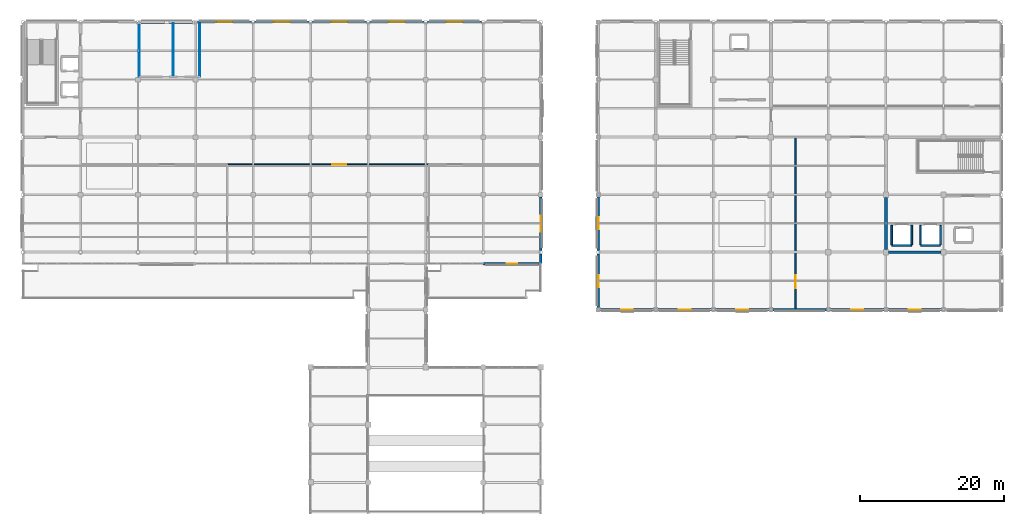
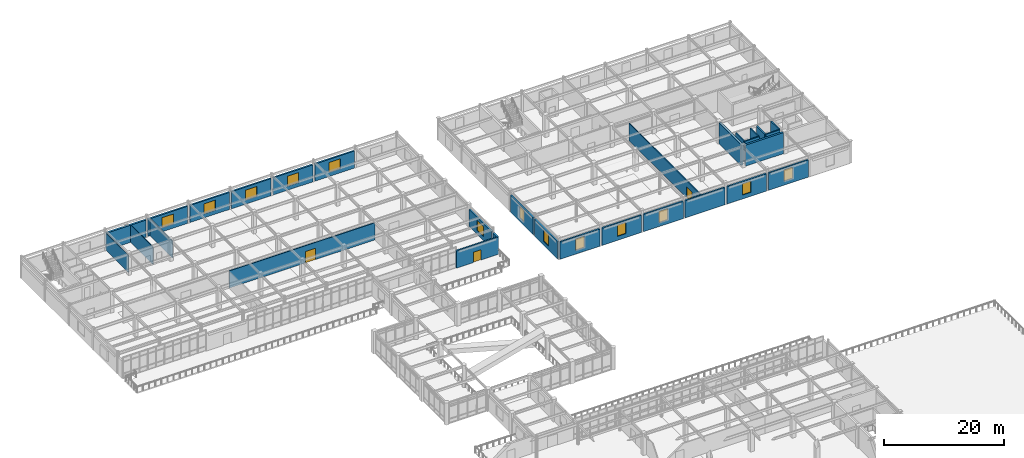
# One storey, part 62 of 93: 30 walls, 13 windows, 3 doors, 16 openings.
"""IFC4 building model written with IfcOpenShell, lengths in metres."""

from ifc_helpers import new_model, si_unit, direction, frame, frame_2d, origin, place, context, subcontext, project, spatial, rectangle, extrude, material, layer, layer_set, type_object, element, fill, save


model = new_model("IFC4")

# Units and contexts
model_context = context("Model", 3, precision=1e-05, world=origin(), true_north=direction((0.0, 1.0)))
body_context = subcontext(model_context, "Body", "Model", "MODEL_VIEW")
ifc_project = project(units=[si_unit("LENGTHUNIT", "METRE"), si_unit("AREAUNIT", "SQUARE_METRE"), si_unit("VOLUMEUNIT", "CUBIC_METRE"), si_unit("PLANEANGLEUNIT", "RADIAN"), si_unit("MASSUNIT", "GRAM", prefix="KILO")], contexts=[model_context])

# Site, building, storey
site_placement = place(None, origin())
site = spatial("IfcSite", under=ifc_project, at=site_placement, CompositionType="ELEMENT")
building_placement = place(site_placement, origin())
building = spatial("IfcBuilding", under=site, at=building_placement, Name="Solmirada Galleria", CompositionType="ELEMENT")
storey_placement = place(building_placement, frame((0.0, 0.0, 14.89990234375)))
storey = spatial("IfcBuildingStorey", under=building, at=storey_placement, Name="L03", CompositionType="ELEMENT", Elevation=14.89990234375)

# Walls
ifc_material_1 = material(Name="Concrete C40/50", Category="concrete")
ifc_layer_1 = layer(ifc_material_1, 0.3798828125)
ifc_layer_set_1 = layer_set([ifc_layer_1], Name="Concrete C40/50")
wall_type_1 = type_object("IfcWallType", Name="WL-CORE-380", PredefinedType="SHEAR", material=ifc_layer_set_1)
for number, where, z_axis, x_axis, name in (
    (1, (160.375, 88.0, 0.0), (0.0, 0.0, 1.0), (1.0, 0.0, 0.0), "Core C4 shear wall L03 S1"),
    (2, (160.0, 88.375, 0.0), (0.0, 0.0, 1.0), (0.0, 1.0, 0.0), "Core C4 shear wall L03 W1"),
):
    element("IfcWall", number, at=place(storey_placement, frame(where, z_axis=z_axis, x_axis=x_axis)), inside=storey, type_object=wall_type_1, Name=name, PredefinedType="SHEAR", context=body_context, shape_type="SweptSolid", body=[
        extrude(rectangle(XDim=7.25, YDim=0.3798828125, at=frame_2d((3.625, 0.0))), origin(), (0.0, 0.0, 1.0), 4.280029296875),
    ])

# Wall, opening, window
ifc_material_2 = material(Name="Precast concrete C40/50", Category="concrete")
ifc_layer_2 = layer(ifc_material_2, 0.31005859375)
ifc_layer_set_2 = layer_set([ifc_layer_2], Name="Precast concrete C40/50")
wall_type_2 = type_object("IfcWallType", Name="WL-EXT-310", PredefinedType="STANDARD", material=ifc_layer_set_2)
wall_1_placement = place(storey_placement, frame((64.202880859375, 120.0, 0.0), z_axis=(0.0, 0.0, 1.0), x_axis=(1.0, 0.0, 0.0)))
wall_1 = element("IfcWall", 3, at=wall_1_placement, inside=storey, type_object=wall_type_2, Name="Exterior wall L03 bay 024", PredefinedType="STANDARD", context=body_context, shape_type="SweptSolid", body=[
    extrude(rectangle(XDim=7.59423828125, YDim=0.31005859375, at=frame_2d((3.797119140625, 0.0))), origin(), (0.0, 0.0, 1.0), 3.47998046875),
])
opening_1_placement = place(wall_1_placement, frame((2.697021484375, 0.0, 0.800048828125)))
opening_1 = element("IfcOpeningElement", 4, at=opening_1_placement, cuts=wall_1, Name="Opening WN3", PredefinedType="OPENING", context=body_context, shape_type="SweptSolid", body=[
    extrude(rectangle(XDim=2.199951171875, YDim=2.050048828125, at=frame_2d((1.10009765625, 1.02490234375))), frame((0.0, 0.1650390625, 0.0), z_axis=(0.0, -1.0, 0.0), x_axis=(1.0, 0.0, 0.0)), (0.0, 0.0, 1.0), 0.330078125),
])
ifc_material_3 = material(Name="Impact-resistant low-E double glazing", Category="glass")
window_type_1 = type_object("IfcWindowType", Name="WIN-AVE-220X205", PartitioningType="DOUBLE_PANEL_VERTICAL", PredefinedType="WINDOW", material=ifc_material_3)
window_1_placement = place(opening_1_placement, origin())
window_1 = element("IfcWindow", 5, at=window_1_placement, inside=storey, type_object=window_type_1, Name="Window L03-075", OverallHeight=2.050048828125, OverallWidth=2.199951171875, PartitioningType="DOUBLE_PANEL_VERTICAL", PredefinedType="WINDOW", context=body_context, shape_type="SweptSolid", body=[
    extrude(rectangle(XDim=2.199951171875, YDim=2.050048828125, at=frame_2d((1.10009765625, 1.02490234375))), frame((0.0, 0.030029296875, 0.0), z_axis=(0.0, -1.0, 0.0), x_axis=(1.0, 0.0, 0.0)), (0.0, 0.0, 1.0), 0.06005859375),
])
fill(opening_1, window_1)

wall_2_placement = place(storey_placement, frame((72.202880859375, 120.0, 0.0), z_axis=(0.0, 0.0, 1.0), x_axis=(1.0, 0.0, 0.0)))
wall_2 = element("IfcWall", 6, at=wall_2_placement, inside=storey, type_object=wall_type_2, Name="Exterior wall L03 bay 025", PredefinedType="STANDARD", context=body_context, shape_type="SweptSolid", body=[
    extrude(rectangle(XDim=7.59423828125, YDim=0.31005859375, at=frame_2d((3.797119140625, 0.0))), origin(), (0.0, 0.0, 1.0), 3.47998046875),
])
opening_2_placement = place(wall_2_placement, frame((2.697021484375, 0.0, 0.800048828125)))
opening_2 = element("IfcOpeningElement", 7, at=opening_2_placement, cuts=wall_2, Name="Opening WN3", PredefinedType="OPENING", context=body_context, shape_type="SweptSolid", body=[
    extrude(rectangle(XDim=2.199951171875, YDim=2.050048828125, at=frame_2d((1.10009765625, 1.02490234375))), frame((0.0, 0.1650390625, 0.0), z_axis=(0.0, -1.0, 0.0), x_axis=(1.0, 0.0, 0.0)), (0.0, 0.0, 1.0), 0.330078125),
])
window_2_placement = place(opening_2_placement, origin())
window_2 = element("IfcWindow", 8, at=window_2_placement, inside=storey, type_object=window_type_1, Name="Window L03-076", OverallHeight=2.050048828125, OverallWidth=2.199951171875, PartitioningType="DOUBLE_PANEL_VERTICAL", PredefinedType="WINDOW", context=body_context, shape_type="SweptSolid", body=[
    extrude(rectangle(XDim=2.199951171875, YDim=2.050048828125, at=frame_2d((1.10009765625, 1.02490234375))), frame((0.0, 0.030029296875, 0.0), z_axis=(0.0, -1.0, 0.0), x_axis=(1.0, 0.0, 0.0)), (0.0, 0.0, 1.0), 0.06005859375),
])
fill(opening_2, window_2)

wall_3_placement = place(storey_placement, frame((80.202880859375, 120.0, 0.0), z_axis=(0.0, 0.0, 1.0), x_axis=(1.0, 0.0, 0.0)))
wall_3 = element("IfcWall", 9, at=wall_3_placement, inside=storey, type_object=wall_type_2, Name="Exterior wall L03 bay 026", PredefinedType="STANDARD", context=body_context, shape_type="SweptSolid", body=[
    extrude(rectangle(XDim=7.59423828125, YDim=0.31005859375, at=frame_2d((3.797119140625, 0.0))), origin(), (0.0, 0.0, 1.0), 3.47998046875),
])
opening_3_placement = place(wall_3_placement, frame((2.697021484375, 0.0, 0.800048828125)))
opening_3 = element("IfcOpeningElement", 10, at=opening_3_placement, cuts=wall_3, Name="Opening WN3", PredefinedType="OPENING", context=body_context, shape_type="SweptSolid", body=[
    extrude(rectangle(XDim=2.199951171875, YDim=2.050048828125, at=frame_2d((1.10009765625, 1.02490234375))), frame((0.0, 0.1650390625, 0.0), z_axis=(0.0, -1.0, 0.0), x_axis=(1.0, 0.0, 0.0)), (0.0, 0.0, 1.0), 0.330078125),
])
window_3_placement = place(opening_3_placement, origin())
window_3 = element("IfcWindow", 11, at=window_3_placement, inside=storey, type_object=window_type_1, Name="Window L03-077", OverallHeight=2.050048828125, OverallWidth=2.199951171875, PartitioningType="DOUBLE_PANEL_VERTICAL", PredefinedType="WINDOW", context=body_context, shape_type="SweptSolid", body=[
    extrude(rectangle(XDim=2.199951171875, YDim=2.050048828125, at=frame_2d((1.10009765625, 1.02490234375))), frame((0.0, 0.030029296875, 0.0), z_axis=(0.0, -1.0, 0.0), x_axis=(1.0, 0.0, 0.0)), (0.0, 0.0, 1.0), 0.06005859375),
])
fill(opening_3, window_3)

wall_4_placement = place(storey_placement, frame((88.202880859375, 120.0, 0.0), z_axis=(0.0, 0.0, 1.0), x_axis=(1.0, 0.0, 0.0)))
wall_4 = element("IfcWall", 12, at=wall_4_placement, inside=storey, type_object=wall_type_2, Name="Exterior wall L03 bay 027", PredefinedType="STANDARD", context=body_context, shape_type="SweptSolid", body=[
    extrude(rectangle(XDim=7.59423828125, YDim=0.31005859375, at=frame_2d((3.797119140625, 0.0))), origin(), (0.0, 0.0, 1.0), 3.47998046875),
])
opening_4_placement = place(wall_4_placement, frame((2.697021484375, 0.0, 0.800048828125)))
opening_4 = element("IfcOpeningElement", 13, at=opening_4_placement, cuts=wall_4, Name="Opening WN3", PredefinedType="OPENING", context=body_context, shape_type="SweptSolid", body=[
    extrude(rectangle(XDim=2.199951171875, YDim=2.050048828125, at=frame_2d((1.10009765625, 1.02490234375))), frame((0.0, 0.1650390625, 0.0), z_axis=(0.0, -1.0, 0.0), x_axis=(1.0, 0.0, 0.0)), (0.0, 0.0, 1.0), 0.330078125),
])
window_4_placement = place(opening_4_placement, origin())
window_4 = element("IfcWindow", 14, at=window_4_placement, inside=storey, type_object=window_type_1, Name="Window L03-078", OverallHeight=2.050048828125, OverallWidth=2.199951171875, PartitioningType="DOUBLE_PANEL_VERTICAL", PredefinedType="WINDOW", context=body_context, shape_type="SweptSolid", body=[
    extrude(rectangle(XDim=2.199951171875, YDim=2.050048828125, at=frame_2d((1.10009765625, 1.02490234375))), frame((0.0, 0.030029296875, 0.0), z_axis=(0.0, -1.0, 0.0), x_axis=(1.0, 0.0, 0.0)), (0.0, 0.0, 1.0), 0.06005859375),
])
fill(opening_4, window_4)

wall_5_placement = place(storey_placement, frame((96.202880859375, 120.0, 0.0), z_axis=(0.0, 0.0, 1.0), x_axis=(1.0, 0.0, 0.0)))
wall_5 = element("IfcWall", 15, at=wall_5_placement, inside=storey, type_object=wall_type_2, Name="Exterior wall L03 bay 028", PredefinedType="STANDARD", context=body_context, shape_type="SweptSolid", body=[
    extrude(rectangle(XDim=7.59423828125, YDim=0.31005859375, at=frame_2d((3.797119140625, 0.0))), origin(), (0.0, 0.0, 1.0), 3.47998046875),
])
opening_5_placement = place(wall_5_placement, frame((2.697021484375, 0.0, 0.800048828125)))
opening_5 = element("IfcOpeningElement", 16, at=opening_5_placement, cuts=wall_5, Name="Opening WN3", PredefinedType="OPENING", context=body_context, shape_type="SweptSolid", body=[
    extrude(rectangle(XDim=2.199951171875, YDim=2.050048828125, at=frame_2d((1.10009765625, 1.02490234375))), frame((0.0, 0.1650390625, 0.0), z_axis=(0.0, -1.0, 0.0), x_axis=(1.0, 0.0, 0.0)), (0.0, 0.0, 1.0), 0.330078125),
])
window_5_placement = place(opening_5_placement, origin())
window_5 = element("IfcWindow", 17, at=window_5_placement, inside=storey, type_object=window_type_1, Name="Window L03-079", OverallHeight=2.050048828125, OverallWidth=2.199951171875, PartitioningType="DOUBLE_PANEL_VERTICAL", PredefinedType="WINDOW", context=body_context, shape_type="SweptSolid", body=[
    extrude(rectangle(XDim=2.199951171875, YDim=2.050048828125, at=frame_2d((1.10009765625, 1.02490234375))), frame((0.0, 0.030029296875, 0.0), z_axis=(0.0, -1.0, 0.0), x_axis=(1.0, 0.0, 0.0)), (0.0, 0.0, 1.0), 0.06005859375),
])
fill(opening_5, window_5)

wall_6_placement = place(storey_placement, frame((112.0, 95.675048828125, 0.0), z_axis=(0.0, 0.0, 1.0), x_axis=(0.0, -1.0, 0.0)))
wall_6 = element("IfcWall", 18, at=wall_6_placement, inside=storey, type_object=wall_type_2, Name="Exterior wall L03 bay 033", PredefinedType="STANDARD", context=body_context, shape_type="SweptSolid", body=[
    extrude(rectangle(XDim=7.446533203125, YDim=0.31005859375, at=frame_2d((3.72314453125, 0.0))), origin(), (0.0, 0.0, 1.0), 3.47998046875),
])
opening_6_placement = place(wall_6_placement, frame((2.623046875, 0.0, 0.800048828125)))
opening_6 = element("IfcOpeningElement", 19, at=opening_6_placement, cuts=wall_6, Name="Opening WN3", PredefinedType="OPENING", context=body_context, shape_type="SweptSolid", body=[
    extrude(rectangle(XDim=2.199951171875, YDim=2.050048828125, at=frame_2d((1.10009765625, 1.02490234375))), frame((0.0, 0.1650390625, 0.0), z_axis=(0.0, -1.0, 0.0), x_axis=(1.0, 0.0, 0.0)), (0.0, 0.0, 1.0), 0.330078125),
])
window_6_placement = place(opening_6_placement, origin())
window_6 = element("IfcWindow", 20, at=window_6_placement, inside=storey, type_object=window_type_1, Name="Window L03-083", OverallHeight=2.050048828125, OverallWidth=2.199951171875, PartitioningType="DOUBLE_PANEL_VERTICAL", PredefinedType="WINDOW", context=body_context, shape_type="SweptSolid", body=[
    extrude(rectangle(XDim=2.199951171875, YDim=2.050048828125, at=frame_2d((1.10009765625, 1.02490234375))), frame((0.0, 0.030029296875, 0.0), z_axis=(0.0, -1.0, 0.0), x_axis=(1.0, 0.0, 0.0)), (0.0, 0.0, 1.0), 0.06005859375),
])
fill(opening_6, window_6)

# Wall
wall_7_placement = place(storey_placement, frame((112.0, 87.771484375, 0.0), z_axis=(0.0, 0.0, 1.0), x_axis=(0.0, -1.0, 0.0)))
element("IfcWall", 21, at=wall_7_placement, inside=storey, type_object=wall_type_2, Name="Exterior wall L03 bay 034", PredefinedType="STANDARD", context=body_context, shape_type="SweptSolid", body=[
    extrude(rectangle(XDim=1.37158203125, YDim=0.31005859375, at=frame_2d((0.685791015625, 0.0))), origin(), (0.0, 0.0, 1.0), 3.47998046875),
])

# Wall, opening, door
wall_8_placement = place(storey_placement, frame((112.0, 86.39990234375, 0.0), z_axis=(0.0, 0.0, 1.0), x_axis=(-1.0, 0.0, 0.0)))
wall_8 = element("IfcWall", 22, at=wall_8_placement, inside=storey, type_object=wall_type_2, Name="Exterior wall L03 bay 035", PredefinedType="STANDARD", context=body_context, shape_type="SweptSolid", body=[
    extrude(rectangle(XDim=8.0, YDim=0.31005859375, at=frame_2d((4.0, 0.0))), origin(), (0.0, 0.0, 1.0), 3.47998046875),
])
opening_7_placement = place(wall_8_placement, frame((3.27490234375, 0.0, 0.0)))
opening_7 = element("IfcOpeningElement", 23, at=opening_7_placement, cuts=wall_8, Name="Opening TD-066", PredefinedType="OPENING", context=body_context, shape_type="SweptSolid", body=[
    extrude(rectangle(XDim=1.449951171875, YDim=2.10009765625, at=frame_2d((0.72509765625, 1.050048828125))), frame((0.0, 0.1650390625, 0.0), z_axis=(0.0, -1.0, 0.0), x_axis=(1.0, 0.0, 0.0)), (0.0, 0.0, 1.0), 0.330078125),
])
ifc_material_4 = material(Name="Thermally broken aluminium and laminated glass door", Category="aluminium")
door_type_1 = type_object("IfcDoorType", Name="DR-TERR-145X210", OperationType="DOUBLE_DOOR_SINGLE_SWING", PredefinedType="DOOR", material=ifc_material_4)
door_1_placement = place(opening_7_placement, origin())
door_1 = element("IfcDoor", 24, at=door_1_placement, inside=storey, type_object=door_type_1, Name="Planted terrace access door TD-066", OperationType="DOUBLE_DOOR_SINGLE_SWING", OverallHeight=2.10009765625, OverallWidth=1.449951171875, PredefinedType="DOOR", context=body_context, shape_type="SweptSolid", body=[
    extrude(rectangle(XDim=1.449951171875, YDim=2.10009765625, at=frame_2d((0.72509765625, 1.050048828125))), frame((0.0, 0.02490234375, 0.0), z_axis=(0.0, -1.0, 0.0), x_axis=(1.0, 0.0, 0.0)), (0.0, 0.0, 1.0), 0.050048828125),
])
fill(opening_7, door_1)

# Wall, opening, window
wall_9_placement = place(storey_placement, frame((167.822021484375, 80.0, 0.0), z_axis=(0.0, 0.0, 1.0), x_axis=(-1.0, 0.0, 0.0)))
wall_9 = element("IfcWall", 25, at=wall_9_placement, inside=storey, type_object=wall_type_2, Name="Exterior wall L03 bay 082", PredefinedType="STANDARD", context=body_context, shape_type="SweptSolid", body=[
    extrude(rectangle(XDim=7.64404296875, YDim=0.31005859375, at=frame_2d((3.822021484375, 0.0))), origin(), (0.0, 0.0, 1.0), 3.47998046875),
])
opening_8_placement = place(wall_9_placement, frame((2.9970703125, 0.0, 0.800048828125)))
opening_8 = element("IfcOpeningElement", 26, at=opening_8_placement, cuts=wall_9, Name="Opening WN26", PredefinedType="OPENING", context=body_context, shape_type="SweptSolid", body=[
    extrude(rectangle(XDim=1.64990234375, YDim=2.300048828125, at=frame_2d((0.824951171875, 1.14990234375))), frame((0.0, 0.1650390625, 0.0), z_axis=(0.0, -1.0, 0.0), x_axis=(1.0, 0.0, 0.0)), (0.0, 0.0, 1.0), 0.330078125),
])
window_type_2 = type_object("IfcWindowType", Name="WIN-ARCH-165X230", PartitioningType="DOUBLE_PANEL_HORIZONTAL", PredefinedType="WINDOW", material=ifc_material_3)
window_7_placement = place(opening_8_placement, origin())
window_7 = element("IfcWindow", 27, at=window_7_placement, inside=storey, type_object=window_type_2, Name="Window L03-102", OverallHeight=2.300048828125, OverallWidth=1.64990234375, PartitioningType="DOUBLE_PANEL_HORIZONTAL", PredefinedType="WINDOW", context=body_context, shape_type="SweptSolid", body=[
    extrude(rectangle(XDim=1.64990234375, YDim=2.300048828125, at=frame_2d((0.824951171875, 1.14990234375))), frame((0.0, 0.030029296875, 0.0), z_axis=(0.0, -1.0, 0.0), x_axis=(1.0, 0.0, 0.0)), (0.0, 0.0, 1.0), 0.06005859375),
])
fill(opening_8, window_7)

wall_10_placement = place(storey_placement, frame((159.822021484375, 80.0, 0.0), z_axis=(0.0, 0.0, 1.0), x_axis=(-1.0, 0.0, 0.0)))
wall_10 = element("IfcWall", 28, at=wall_10_placement, inside=storey, type_object=wall_type_2, Name="Exterior wall L03 bay 083", PredefinedType="STANDARD", context=body_context, shape_type="SweptSolid", body=[
    extrude(rectangle(XDim=7.64404296875, YDim=0.31005859375, at=frame_2d((3.822021484375, 0.0))), origin(), (0.0, 0.0, 1.0), 3.47998046875),
])
opening_9_placement = place(wall_10_placement, frame((2.9970703125, 0.0, 0.800048828125)))
opening_9 = element("IfcOpeningElement", 29, at=opening_9_placement, cuts=wall_10, Name="Opening WN26", PredefinedType="OPENING", context=body_context, shape_type="SweptSolid", body=[
    extrude(rectangle(XDim=1.64990234375, YDim=2.300048828125, at=frame_2d((0.824951171875, 1.14990234375))), frame((0.0, 0.1650390625, 0.0), z_axis=(0.0, -1.0, 0.0), x_axis=(1.0, 0.0, 0.0)), (0.0, 0.0, 1.0), 0.330078125),
])
window_8_placement = place(opening_9_placement, origin())
window_8 = element("IfcWindow", 30, at=window_8_placement, inside=storey, type_object=window_type_2, Name="Window L03-103", OverallHeight=2.300048828125, OverallWidth=1.64990234375, PartitioningType="DOUBLE_PANEL_HORIZONTAL", PredefinedType="WINDOW", context=body_context, shape_type="SweptSolid", body=[
    extrude(rectangle(XDim=1.64990234375, YDim=2.300048828125, at=frame_2d((0.824951171875, 1.14990234375))), frame((0.0, 0.030029296875, 0.0), z_axis=(0.0, -1.0, 0.0), x_axis=(1.0, 0.0, 0.0)), (0.0, 0.0, 1.0), 0.06005859375),
])
fill(opening_9, window_8)

# Wall
wall_11_placement = place(storey_placement, frame((151.822021484375, 80.0, 0.0), z_axis=(0.0, 0.0, 1.0), x_axis=(-1.0, 0.0, 0.0)))
element("IfcWall", 31, at=wall_11_placement, inside=storey, type_object=wall_type_2, Name="Exterior wall L03 bay 084", PredefinedType="STANDARD", context=body_context, shape_type="SweptSolid", body=[
    extrude(rectangle(XDim=7.64404296875, YDim=0.31005859375, at=frame_2d((3.822021484375, 0.0))), origin(), (0.0, 0.0, 1.0), 3.47998046875),
])

# Wall, opening, window
wall_12_placement = place(storey_placement, frame((143.822021484375, 80.0, 0.0), z_axis=(0.0, 0.0, 1.0), x_axis=(-1.0, 0.0, 0.0)))
wall_12 = element("IfcWall", 32, at=wall_12_placement, inside=storey, type_object=wall_type_2, Name="Exterior wall L03 bay 085", PredefinedType="STANDARD", context=body_context, shape_type="SweptSolid", body=[
    extrude(rectangle(XDim=7.64404296875, YDim=0.31005859375, at=frame_2d((3.822021484375, 0.0))), origin(), (0.0, 0.0, 1.0), 3.47998046875),
])
opening_10_placement = place(wall_12_placement, frame((2.9970703125, 0.0, 0.800048828125)))
opening_10 = element("IfcOpeningElement", 33, at=opening_10_placement, cuts=wall_12, Name="Opening WN26", PredefinedType="OPENING", context=body_context, shape_type="SweptSolid", body=[
    extrude(rectangle(XDim=1.64990234375, YDim=2.300048828125, at=frame_2d((0.824951171875, 1.14990234375))), frame((0.0, 0.1650390625, 0.0), z_axis=(0.0, -1.0, 0.0), x_axis=(1.0, 0.0, 0.0)), (0.0, 0.0, 1.0), 0.330078125),
])
window_9_placement = place(opening_10_placement, origin())
window_9 = element("IfcWindow", 34, at=window_9_placement, inside=storey, type_object=window_type_2, Name="Window L03-104", OverallHeight=2.300048828125, OverallWidth=1.64990234375, PartitioningType="DOUBLE_PANEL_HORIZONTAL", PredefinedType="WINDOW", context=body_context, shape_type="SweptSolid", body=[
    extrude(rectangle(XDim=1.64990234375, YDim=2.300048828125, at=frame_2d((0.824951171875, 1.14990234375))), frame((0.0, 0.030029296875, 0.0), z_axis=(0.0, -1.0, 0.0), x_axis=(1.0, 0.0, 0.0)), (0.0, 0.0, 1.0), 0.06005859375),
])
fill(opening_10, window_9)

wall_13_placement = place(storey_placement, frame((135.822021484375, 80.0, 0.0), z_axis=(0.0, 0.0, 1.0), x_axis=(-1.0, 0.0, 0.0)))
wall_13 = element("IfcWall", 35, at=wall_13_placement, inside=storey, type_object=wall_type_2, Name="Exterior wall L03 bay 086", PredefinedType="STANDARD", context=body_context, shape_type="SweptSolid", body=[
    extrude(rectangle(XDim=7.64404296875, YDim=0.31005859375, at=frame_2d((3.822021484375, 0.0))), origin(), (0.0, 0.0, 1.0), 3.47998046875),
])
opening_11_placement = place(wall_13_placement, frame((2.9970703125, 0.0, 0.800048828125)))
opening_11 = element("IfcOpeningElement", 36, at=opening_11_placement, cuts=wall_13, Name="Opening WN26", PredefinedType="OPENING", context=body_context, shape_type="SweptSolid", body=[
    extrude(rectangle(XDim=1.64990234375, YDim=2.300048828125, at=frame_2d((0.824951171875, 1.14990234375))), frame((0.0, 0.1650390625, 0.0), z_axis=(0.0, -1.0, 0.0), x_axis=(1.0, 0.0, 0.0)), (0.0, 0.0, 1.0), 0.330078125),
])
window_10_placement = place(opening_11_placement, origin())
window_10 = element("IfcWindow", 37, at=window_10_placement, inside=storey, type_object=window_type_2, Name="Window L03-105", OverallHeight=2.300048828125, OverallWidth=1.64990234375, PartitioningType="DOUBLE_PANEL_HORIZONTAL", PredefinedType="WINDOW", context=body_context, shape_type="SweptSolid", body=[
    extrude(rectangle(XDim=1.64990234375, YDim=2.300048828125, at=frame_2d((0.824951171875, 1.14990234375))), frame((0.0, 0.030029296875, 0.0), z_axis=(0.0, -1.0, 0.0), x_axis=(1.0, 0.0, 0.0)), (0.0, 0.0, 1.0), 0.06005859375),
])
fill(opening_11, window_10)

wall_14_placement = place(storey_placement, frame((127.822021484375, 80.0, 0.0), z_axis=(0.0, 0.0, 1.0), x_axis=(-1.0, 0.0, 0.0)))
wall_14 = element("IfcWall", 38, at=wall_14_placement, inside=storey, type_object=wall_type_2, Name="Exterior wall L03 bay 087", PredefinedType="STANDARD", context=body_context, shape_type="SweptSolid", body=[
    extrude(rectangle(XDim=7.64404296875, YDim=0.31005859375, at=frame_2d((3.822021484375, 0.0))), origin(), (0.0, 0.0, 1.0), 3.47998046875),
])
opening_12_placement = place(wall_14_placement, frame((2.9970703125, 0.0, 0.800048828125)))
opening_12 = element("IfcOpeningElement", 39, at=opening_12_placement, cuts=wall_14, Name="Opening WN26", PredefinedType="OPENING", context=body_context, shape_type="SweptSolid", body=[
    extrude(rectangle(XDim=1.64990234375, YDim=2.300048828125, at=frame_2d((0.824951171875, 1.14990234375))), frame((0.0, 0.1650390625, 0.0), z_axis=(0.0, -1.0, 0.0), x_axis=(1.0, 0.0, 0.0)), (0.0, 0.0, 1.0), 0.330078125),
])
window_11_placement = place(opening_12_placement, origin())
window_11 = element("IfcWindow", 40, at=window_11_placement, inside=storey, type_object=window_type_2, Name="Window L03-106", OverallHeight=2.300048828125, OverallWidth=1.64990234375, PartitioningType="DOUBLE_PANEL_HORIZONTAL", PredefinedType="WINDOW", context=body_context, shape_type="SweptSolid", body=[
    extrude(rectangle(XDim=1.64990234375, YDim=2.300048828125, at=frame_2d((0.824951171875, 1.14990234375))), frame((0.0, 0.030029296875, 0.0), z_axis=(0.0, -1.0, 0.0), x_axis=(1.0, 0.0, 0.0)), (0.0, 0.0, 1.0), 0.06005859375),
])
fill(opening_12, window_11)

wall_15_placement = place(storey_placement, frame((120.0, 80.177978515625, 0.0), z_axis=(0.0, 0.0, 1.0), x_axis=(0.0, 1.0, 0.0)))
wall_15 = element("IfcWall", 41, at=wall_15_placement, inside=storey, type_object=wall_type_2, Name="Exterior wall L03 bay 088", PredefinedType="STANDARD", context=body_context, shape_type="SweptSolid", body=[
    extrude(rectangle(XDim=7.593505859375, YDim=0.31005859375, at=frame_2d((3.796875, 0.0))), origin(), (0.0, 0.0, 1.0), 3.47998046875),
])
opening_13_placement = place(wall_15_placement, frame((2.971923828125, 0.0, 0.800048828125)))
opening_13 = element("IfcOpeningElement", 42, at=opening_13_placement, cuts=wall_15, Name="Opening WN26", PredefinedType="OPENING", context=body_context, shape_type="SweptSolid", body=[
    extrude(rectangle(XDim=1.64990234375, YDim=2.300048828125, at=frame_2d((0.824951171875, 1.14990234375))), frame((0.0, 0.1650390625, 0.0), z_axis=(0.0, -1.0, 0.0), x_axis=(1.0, 0.0, 0.0)), (0.0, 0.0, 1.0), 0.330078125),
])
window_12_placement = place(opening_13_placement, origin())
window_12 = element("IfcWindow", 43, at=window_12_placement, inside=storey, type_object=window_type_2, Name="Window L03-107", OverallHeight=2.300048828125, OverallWidth=1.64990234375, PartitioningType="DOUBLE_PANEL_HORIZONTAL", PredefinedType="WINDOW", context=body_context, shape_type="SweptSolid", body=[
    extrude(rectangle(XDim=1.64990234375, YDim=2.300048828125, at=frame_2d((0.824951171875, 1.14990234375))), frame((0.0, 0.030029296875, 0.0), z_axis=(0.0, -1.0, 0.0), x_axis=(1.0, 0.0, 0.0)), (0.0, 0.0, 1.0), 0.06005859375),
])
fill(opening_13, window_12)

wall_16_placement = place(storey_placement, frame((120.0, 88.228515625, 0.0), z_axis=(0.0, 0.0, 1.0), x_axis=(0.0, 1.0, 0.0)))
wall_16 = element("IfcWall", 44, at=wall_16_placement, inside=storey, type_object=wall_type_2, Name="Exterior wall L03 bay 089", PredefinedType="STANDARD", context=body_context, shape_type="SweptSolid", body=[
    extrude(rectangle(XDim=7.593505859375, YDim=0.31005859375, at=frame_2d((3.796875, 0.0))), origin(), (0.0, 0.0, 1.0), 3.47998046875),
])
opening_14_placement = place(wall_16_placement, frame((2.971923828125, 0.0, 0.800048828125)))
opening_14 = element("IfcOpeningElement", 45, at=opening_14_placement, cuts=wall_16, Name="Opening WN26", PredefinedType="OPENING", context=body_context, shape_type="SweptSolid", body=[
    extrude(rectangle(XDim=1.64990234375, YDim=2.300048828125, at=frame_2d((0.824951171875, 1.14990234375))), frame((0.0, 0.1650390625, 0.0), z_axis=(0.0, -1.0, 0.0), x_axis=(1.0, 0.0, 0.0)), (0.0, 0.0, 1.0), 0.330078125),
])
window_13_placement = place(opening_14_placement, origin())
window_13 = element("IfcWindow", 46, at=window_13_placement, inside=storey, type_object=window_type_2, Name="Window L03-108", OverallHeight=2.300048828125, OverallWidth=1.64990234375, PartitioningType="DOUBLE_PANEL_HORIZONTAL", PredefinedType="WINDOW", context=body_context, shape_type="SweptSolid", body=[
    extrude(rectangle(XDim=1.64990234375, YDim=2.300048828125, at=frame_2d((0.824951171875, 1.14990234375))), frame((0.0, 0.030029296875, 0.0), z_axis=(0.0, -1.0, 0.0), x_axis=(1.0, 0.0, 0.0)), (0.0, 0.0, 1.0), 0.06005859375),
])
fill(opening_14, window_13)

# Walls
ifc_layer_3 = layer(ifc_material_1, 0.239990234375)
ifc_layer_set_3 = layer_set([ifc_layer_3], Name="Concrete C40/50")
wall_type_3 = type_object("IfcWallType", Name="WL-HOIST-240", PredefinedType="PARTITIONING", material=ifc_layer_set_3)
wall_17_placement = place(storey_placement, frame((164.820068359375, 88.919921875, 0.0), z_axis=(0.0, 0.0, 1.0), x_axis=(1.0, 0.0, 0.0)))
element("IfcWall", 47, at=wall_17_placement, inside=storey, type_object=wall_type_3, Name="Lift GF1 hoistway rear wall L03", PredefinedType="PARTITIONING", context=body_context, shape_type="SweptSolid", body=[
    extrude(rectangle(XDim=2.760009765625, YDim=0.239990234375, at=frame_2d((1.3798828125, 0.0))), origin(), (0.0, 0.0, 1.0), 4.280029296875),
])
for number, where, z_axis, x_axis, name in (
    (48, (164.820068359375, 89.06005859375, 0.0), (0.0, 0.0, 1.0), (0.0, 1.0, 0.0), "Lift GF1 hoistway side wall L L03"),
    (49, (167.580078125, 89.06005859375, 0.0), (0.0, 0.0, 1.0), (0.0, 1.0, 0.0), "Lift GF1 hoistway side wall R L03"),
):
    element("IfcWall", number, at=place(storey_placement, frame(where, z_axis=z_axis, x_axis=x_axis)), inside=storey, type_object=wall_type_3, Name=name, PredefinedType="PARTITIONING", context=body_context, shape_type="SweptSolid", body=[
        extrude(rectangle(XDim=2.679931640625, YDim=0.239990234375, at=frame_2d((1.33984375, 0.0))), origin(), (0.0, 0.0, 1.0), 4.280029296875),
    ])
wall_18_placement = place(storey_placement, frame((160.820068359375, 88.919921875, 0.0), z_axis=(0.0, 0.0, 1.0), x_axis=(1.0, 0.0, 0.0)))
element("IfcWall", 50, at=wall_18_placement, inside=storey, type_object=wall_type_3, Name="Lift GF2 hoistway rear wall L03", PredefinedType="PARTITIONING", context=body_context, shape_type="SweptSolid", body=[
    extrude(rectangle(XDim=2.760009765625, YDim=0.239990234375, at=frame_2d((1.3798828125, 0.0))), origin(), (0.0, 0.0, 1.0), 4.280029296875),
])
for number, where, z_axis, x_axis, name in (
    (51, (160.820068359375, 89.06005859375, 0.0), (0.0, 0.0, 1.0), (0.0, 1.0, 0.0), "Lift GF2 hoistway side wall L L03"),
    (52, (163.580078125, 89.06005859375, 0.0), (0.0, 0.0, 1.0), (0.0, 1.0, 0.0), "Lift GF2 hoistway side wall R L03"),
):
    element("IfcWall", number, at=place(storey_placement, frame(where, z_axis=z_axis, x_axis=x_axis)), inside=storey, type_object=wall_type_3, Name=name, PredefinedType="PARTITIONING", context=body_context, shape_type="SweptSolid", body=[
        extrude(rectangle(XDim=2.679931640625, YDim=0.239990234375, at=frame_2d((1.33984375, 0.0))), origin(), (0.0, 0.0, 1.0), 4.280029296875),
    ])
ifc_material_5 = material(Name="Acoustic gypsum board partition")
ifc_layer_4 = layer(ifc_material_5, 0.135009765625)
ifc_layer_set_4 = layer_set([ifc_layer_4], Name="Acoustic gypsum board partition")
wall_type_4 = type_object("IfcWallType", Name="WL-PART-135", PredefinedType="PARTITIONING", material=ifc_layer_set_4)
for number, where, z_axis, x_axis, name in (
    (53, (56.199951171875, 112.39990234375, 0.0), (0.0, 0.0, 1.0), (0.0, 1.0, 0.0), "Partition L03-094 (North WC West)"),
    (54, (60.89990234375, 112.39990234375, 0.0), (0.0, 0.0, 1.0), (0.0, 1.0, 0.0), "Partition L03-095 (North WC Divider)"),
    (55, (64.60009765625, 112.39990234375, 0.0), (0.0, 0.0, 1.0), (0.0, 1.0, 0.0), "Partition L03-096 (North WC East)"),
):
    element("IfcWall", number, at=place(storey_placement, frame(where, z_axis=z_axis, x_axis=x_axis)), inside=storey, type_object=wall_type_4, Name=name, PredefinedType="PARTITIONING", context=body_context, shape_type="SweptSolid", body=[
        extrude(rectangle(XDim=7.4501953125, YDim=0.135009765625, at=frame_2d((3.72509765625, 0.0))), origin(), (0.0, 0.0, 1.0), 3.47998046875),
    ])

# Wall, opening, door
ifc_layer_5 = layer(ifc_material_5, 0.159912109375)
ifc_layer_set_5 = layer_set([ifc_layer_5], Name="Acoustic gypsum board partition")
wall_type_5 = type_object("IfcWallType", Name="WL-PART-160", PredefinedType="PARTITIONING", material=ifc_layer_set_5)
wall_19_placement = place(storey_placement, frame((68.39990234375, 100.199951171875, 0.0), z_axis=(0.0, 0.0, 1.0), x_axis=(1.0, 0.0, 0.0)))
wall_19 = element("IfcWall", 56, at=wall_19_placement, inside=storey, type_object=wall_type_5, Name="Partition L03-098 (North Promenade C L03)", PredefinedType="PARTITIONING", context=body_context, shape_type="SweptSolid", body=[
    extrude(rectangle(XDim=28.0, YDim=0.159912109375, at=frame_2d((14.0, 0.0))), origin(), (0.0, 0.0, 1.0), 3.47998046875),
])
opening_15_placement = place(wall_19_placement, frame((14.637939453125, 0.0, 0.0)))
opening_15 = element("IfcOpeningElement", 57, at=opening_15_placement, cuts=wall_19, Name="Opening ID-328", PredefinedType="OPENING", context=body_context, shape_type="SweptSolid", body=[
    extrude(rectangle(XDim=1.89990234375, YDim=2.300048828125, at=frame_2d((0.949951171875, 1.14990234375))), frame((0.0, 0.08984375, 0.0), z_axis=(0.0, -1.0, 0.0), x_axis=(1.0, 0.0, 0.0)), (0.0, 0.0, 1.0), 0.179931640625),
])
ifc_material_6 = material(Name="Architectural hardwood veneer door", Category="wood")
door_type_2 = type_object("IfcDoorType", Name="DR-DEPT-190X230", OperationType="DOUBLE_DOOR_SINGLE_SWING", PredefinedType="DOOR", material=ifc_material_6)
door_2_placement = place(opening_15_placement, origin())
door_2 = element("IfcDoor", 58, at=door_2_placement, inside=storey, type_object=door_type_2, Name="North Promenade C L03 door ID-328", OperationType="DOUBLE_DOOR_SINGLE_SWING", OverallHeight=2.300048828125, OverallWidth=1.89990234375, PredefinedType="DOOR", context=body_context, shape_type="SweptSolid", body=[
    extrude(rectangle(XDim=1.89990234375, YDim=2.300048828125, at=frame_2d((0.949951171875, 1.14990234375))), frame((0.0, 0.02490234375, 0.0), z_axis=(0.0, -1.0, 0.0), x_axis=(1.0, 0.0, 0.0)), (0.0, 0.0, 1.0), 0.050048828125),
])
fill(opening_15, door_2)

ifc_material_7 = material(Name="Fire-rated gypsum and steel-stud partition", Category="steel")
ifc_layer_6 = layer(ifc_material_7, 0.18994140625)
ifc_layer_set_6 = layer_set([ifc_layer_6], Name="Fire-rated gypsum and steel-stud partition")
wall_type_6 = type_object("IfcWallType", Name="WL-PART-190", PredefinedType="PARTITIONING", material=ifc_layer_set_6)
wall_20_placement = place(storey_placement, frame((147.39990234375, 80.14990234375, 0.0), z_axis=(0.0, 0.0, 1.0), x_axis=(0.0, 1.0, 0.0)))
wall_20 = element("IfcWall", 59, at=wall_20_placement, inside=storey, type_object=wall_type_6, Name="Partition L03-116 (Stockroom L03)", PredefinedType="PARTITIONING", context=body_context, shape_type="SweptSolid", body=[
    extrude(rectangle(XDim=23.85009765625, YDim=0.18994140625, at=frame_2d((11.925048828125, 0.0))), origin(), (0.0, 0.0, 1.0), 3.47998046875),
])
opening_16_placement = place(wall_20_placement, frame((2.862060546875, 0.0, 0.0)))
opening_16 = element("IfcOpeningElement", 60, at=opening_16_placement, cuts=wall_20, Name="Opening ID-342", PredefinedType="OPENING", context=body_context, shape_type="SweptSolid", body=[
    extrude(rectangle(XDim=1.800048828125, YDim=2.25, at=frame_2d((0.89990234375, 1.125))), frame((0.0, 0.10498046875, 0.0), z_axis=(0.0, -1.0, 0.0), x_axis=(1.0, 0.0, 0.0)), (0.0, 0.0, 1.0), 0.2099609375),
])
ifc_material_8 = material(Name="Fire-rated painted steel door assembly", Category="steel")
door_type_3 = type_object("IfcDoorType", Name="DR-STOCK-180X225", OperationType="DOUBLE_DOOR_SINGLE_SWING", PredefinedType="DOOR", material=ifc_material_8)
door_3_placement = place(opening_16_placement, origin())
door_3 = element("IfcDoor", 61, at=door_3_placement, inside=storey, type_object=door_type_3, Name="Stockroom L03 door ID-342", OperationType="DOUBLE_DOOR_SINGLE_SWING", OverallHeight=2.25, OverallWidth=1.800048828125, PredefinedType="DOOR", context=body_context, shape_type="SweptSolid", body=[
    extrude(rectangle(XDim=1.800048828125, YDim=2.25, at=frame_2d((0.89990234375, 1.125))), frame((0.0, 0.02490234375, 0.0), z_axis=(0.0, -1.0, 0.0), x_axis=(1.0, 0.0, 0.0)), (0.0, 0.0, 1.0), 0.050048828125),
])
fill(opening_16, door_3)

# Wall
ifc_material_9 = material(Name="Architectural concrete masonry C30/37", Category="masonry")
ifc_layer_7 = layer(ifc_material_9, 0.360107421875)
ifc_layer_set_7 = layer_set([ifc_layer_7], Name="Architectural concrete masonry C30/37")
wall_type_7 = type_object("IfcWallType", Name="WL-SOLID-360", PredefinedType="SOLIDWALL", material=ifc_layer_set_7)
wall_21_placement = place(storey_placement, frame((56.202880859375, 120.0, 0.0), z_axis=(0.0, 0.0, 1.0), x_axis=(1.0, 0.0, 0.0)))
element("IfcWall", 62, at=wall_21_placement, inside=storey, type_object=wall_type_7, Name="Exterior wall L03 bay 023", PredefinedType="SOLIDWALL", context=body_context, shape_type="SweptSolid", body=[
    extrude(rectangle(XDim=7.59423828125, YDim=0.360107421875, at=frame_2d((3.797119140625, 0.0))), origin(), (0.0, 0.0, 1.0), 3.47998046875),
])

save(model, "model.ifc")
